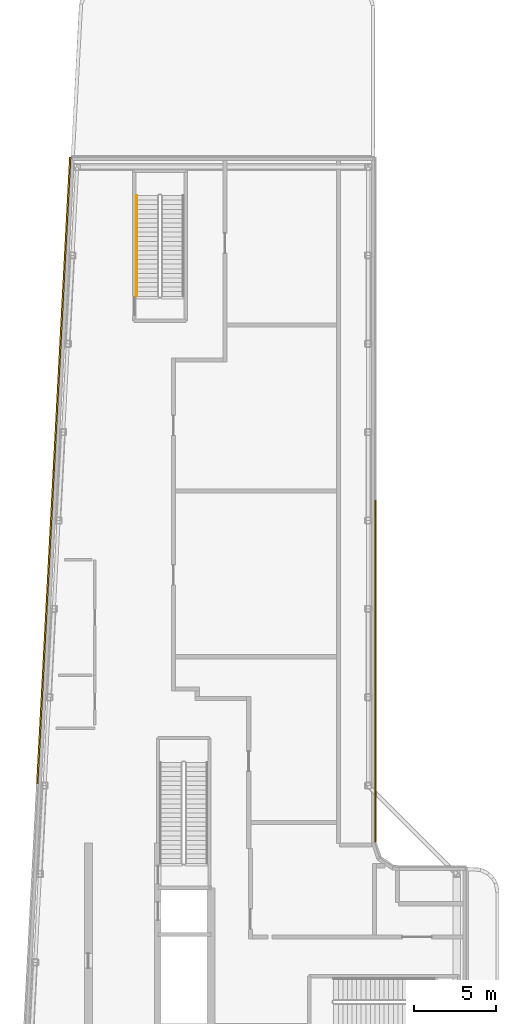
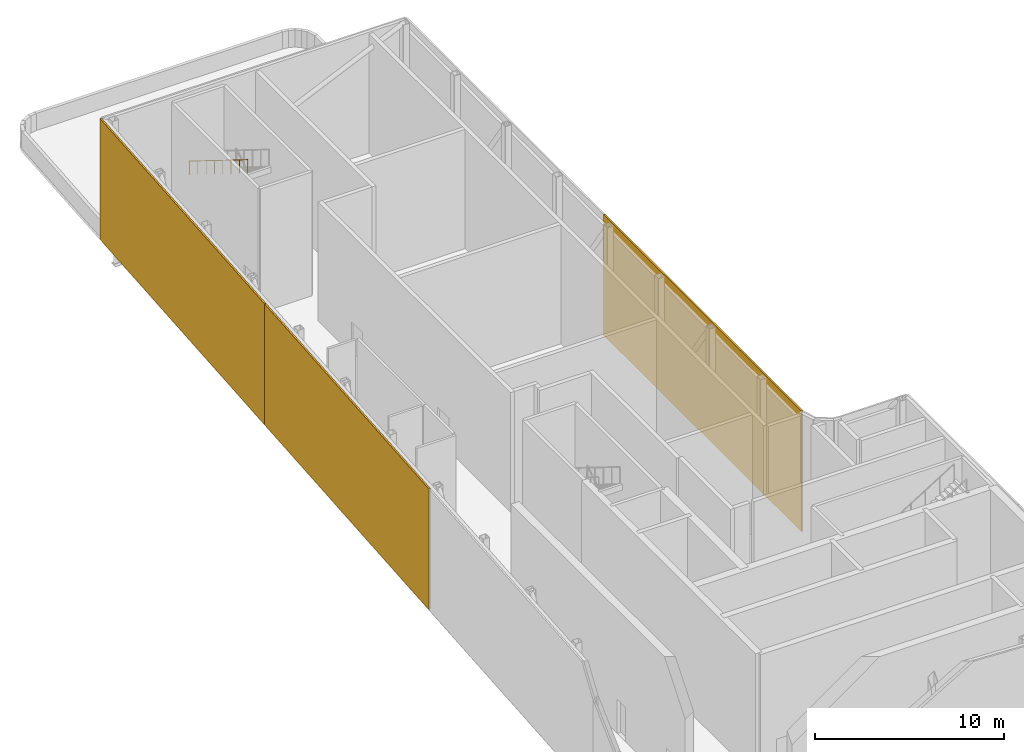
# One storey, part 9 of 10: 3 shading devices, 1 railing.
"""IFC4 building model written with IfcOpenShell, lengths in metres."""

from ifc_helpers import new_model, si_unit, direction, frame, origin, origin_2d, place, context, subcontext, project, spatial, rectangle, circle, extrude, material, layer, layer_set, type_object, element, save


model = new_model("IFC4")

# Units and contexts
model_context = context("Model", 3, precision=1e-05, world=origin(), true_north=direction((0.0, 1.0)))
body_context = subcontext(model_context, "Body", "Model", "MODEL_VIEW")
ifc_project = project(units=[si_unit("LENGTHUNIT", "METRE"), si_unit("AREAUNIT", "SQUARE_METRE"), si_unit("VOLUMEUNIT", "CUBIC_METRE"), si_unit("PLANEANGLEUNIT", "RADIAN"), si_unit("MASSUNIT", "GRAM", prefix="KILO")], contexts=[model_context])

# Site, building, storey
site_placement = place(None, origin())
site = spatial("IfcSite", under=ifc_project, at=site_placement, CompositionType="ELEMENT")
building_placement = place(site_placement, origin())
building = spatial("IfcBuilding", under=site, at=building_placement, Name="Kheshtan School and Residences Tower", CompositionType="ELEMENT")
storey_placement = place(building_placement, frame((0.0, 0.0, 396.800048828125)))
storey = spatial("IfcBuildingStorey", under=building, at=storey_placement, Name="L93", CompositionType="ELEMENT", Elevation=396.800048828125)

# Shading devices
ifc_material_1 = material(Name="Terracotta louvre blades", Category="masonry")
ifc_layer = layer(ifc_material_1, 0.10009765625)
ifc_layer_set = layer_set([ifc_layer], Name="Plant louvre screen")
shading_device_type = type_object("IfcShadingDeviceType", Name="Plant louvre screen", PredefinedType="JALOUSIE", material=ifc_layer_set)
for number, where, z_axis, x_axis, name in (
    (1, (27.881103515625, 60.697021484375, 0.0), (0.0, 0.0, 1.0), (0.052562536748, 0.998617634398, 0.0), "Plant louvre L93 10.2"),
    (2, (28.887939453125, 79.833984375, 0.0), (0.0, 0.0, 1.0), (0.052562536748, 0.998617634398, 0.0), "Plant louvre L93 10.3"),
):
    element("IfcShadingDevice", number, at=place(storey_placement, frame(where, z_axis=z_axis, x_axis=x_axis)), inside=storey, type_object=shading_device_type, Name=name, PredefinedType="JALOUSIE", context=body_context, shape_type="SweptSolid", body=[
        extrude(rectangle(XDim=19.1630859375, YDim=0.10009765625, at=origin_2d()), origin(), (0.0, 0.0, 1.0), 7.800048828125),
    ])
shading_device_placement = place(storey_placement, frame((48.050048828125, 57.97509765625, 0.0), z_axis=(0.0, 0.0, 1.0), x_axis=(0.0, -1.0, 0.0)))
element("IfcShadingDevice", 3, at=shading_device_placement, inside=storey, type_object=shading_device_type, Name="Plant louvre L93 12.2", PredefinedType="JALOUSIE", context=body_context, shape_type="SweptSolid", body=[
    extrude(rectangle(XDim=20.949951171875, YDim=0.10009765625, at=origin_2d()), origin(), (0.0, 0.0, 1.0), 7.800048828125),
])

# Railing
ifc_material_2 = material(Name="Stainless steel handrail", Category="steel")
railing_type = type_object("IfcRailingType", Name="Stair handrail 900", PredefinedType="HANDRAIL", material=ifc_material_2)
railing_placement = place(storey_placement, frame((33.449951171875, 87.06005859375, 4.173828125)))
element("IfcRailing", 4, at=railing_placement, inside=storey, type_object=railing_type, Name="L93 ST3 stair handrail 2", PredefinedType="HANDRAIL", context=body_context, shape_type="SweptSolid", body=[
    extrude(circle(Radius=0.02392578125, at=origin_2d()), frame((0.0, 0.0, 0.8759765625), z_axis=(0.0, -0.849477832307, 0.527624309921), x_axis=(1.0, 0.0, 0.0)), (0.0, 0.0, 1.0), 7.251708984375),
    extrude(circle(Radius=0.02099609375, at=origin_2d()), origin(), (0.0, 0.0, 1.0), 0.851806640625),
    extrude(circle(Radius=0.02099609375, at=origin_2d()), frame((0.0, -0.880126953125, 0.546630859375)), (0.0, 0.0, 1.0), 0.851806640625),
    extrude(circle(Radius=0.02099609375, at=origin_2d()), frame((0.0, -1.760009765625, 1.09326171875)), (0.0, 0.0, 1.0), 0.851806640625),
    extrude(circle(Radius=0.02099609375, at=origin_2d()), frame((0.0, -2.64013671875, 1.639892578125)), (0.0, 0.0, 1.0), 0.851806640625),
    extrude(circle(Radius=0.02099609375, at=origin_2d()), frame((0.0, -3.52001953125, 2.186279296875)), (0.0, 0.0, 1.0), 0.851806640625),
    extrude(circle(Radius=0.02099609375, at=origin_2d()), frame((0.0, -4.400146484375, 2.73291015625)), (0.0, 0.0, 1.0), 0.851806640625),
    extrude(circle(Radius=0.02099609375, at=origin_2d()), frame((0.0, -5.280029296875, 3.279541015625)), (0.0, 0.0, 1.0), 0.851806640625),
    extrude(circle(Radius=0.02099609375, at=origin_2d()), frame((0.0, -6.16015625, 3.826171875)), (0.0, 0.0, 1.0), 0.851806640625),
])

save(model, "model.ifc")
